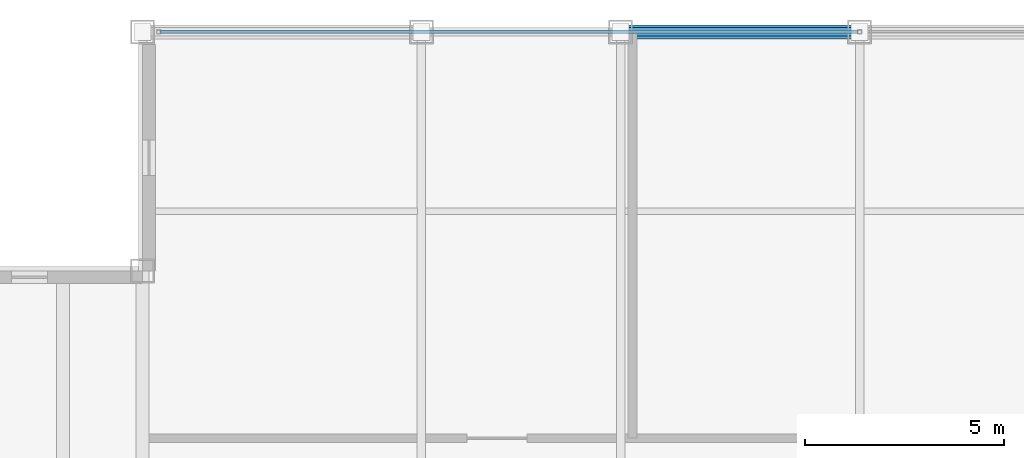
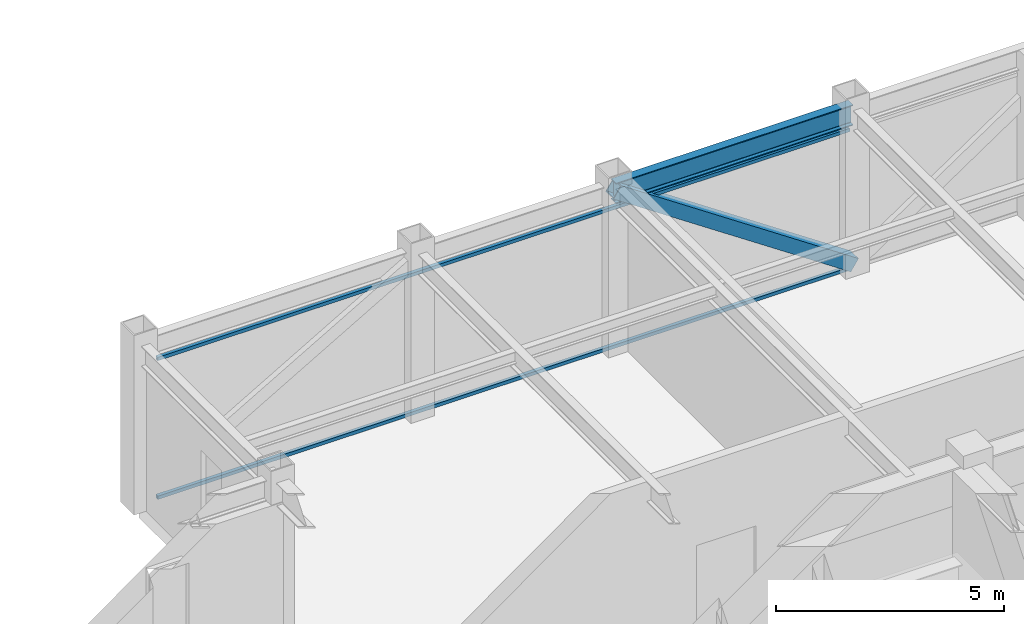
# One storey, part 17 of 27: 3 members, 1 beam, 1 element without a shape of its own.
"""IFC4 building model written with IfcOpenShell, lengths in metres."""

from ifc_helpers import new_model, si_unit, direction, frame, origin, origin_2d, place, context, subcontext, project, spatial, hollow_rectangle, i_section, extrude, source, transform, mapped, material, material_profile, profile_set, type_object, element, aggregate, save


model = new_model("IFC4")

# Units and contexts
model_context = context("Model", 3, precision=1e-05, world=origin(), true_north=direction((0.0, 1.0)))
body_context = subcontext(model_context, "Body", "Model", "MODEL_VIEW")
ifc_project = project(units=[si_unit("LENGTHUNIT", "METRE"), si_unit("AREAUNIT", "SQUARE_METRE"), si_unit("VOLUMEUNIT", "CUBIC_METRE"), si_unit("PLANEANGLEUNIT", "RADIAN"), si_unit("MASSUNIT", "GRAM", prefix="KILO")], contexts=[model_context])

# Site, building, storey
site_placement = place(None, origin())
site = spatial("IfcSite", under=ifc_project, at=site_placement, CompositionType="ELEMENT")
building_placement = place(site_placement, origin())
building = spatial("IfcBuilding", under=site, at=building_placement, Name="Khorayat Bourse Tower", CompositionType="ELEMENT")
storey_placement = place(building_placement, frame((0.0, 0.0, 380.300048828125)))
storey = spatial("IfcBuildingStorey", under=building, at=storey_placement, Name="L90", CompositionType="ELEMENT", Elevation=380.300048828125)

# Beam
ifc_material_1 = material(Name="Steel ASTM A992 Grade 50", Category="steel")
ifc_material_profile_1 = material_profile(ifc_material_1, i_section(OverallWidth=0.214111328125, OverallDepth=0.549072265625, WebThickness=0.0146484375, FlangeThickness=0.023681640625, FilletRadius=0.013916015625, at=origin_2d()), Name="W530X138")
ifc_profile_set_1 = profile_set([ifc_material_profile_1], Name="Steel ASTM A992 Grade 50")
beam_type = type_object("IfcBeamType", Name="BM-SPAN-530", PredefinedType="SPANDREL", material=ifc_profile_set_1)
shared_shape_1 = source(origin(), body_context, "Body", "SweptSolid", [
    extrude(i_section(OverallWidth=0.214111328125, OverallDepth=0.549072265625, WebThickness=0.0146484375, FlangeThickness=0.023681640625, FilletRadius=0.013916015625, at=origin_2d()), origin(), (0.0, 0.0, 1.0), 6.0),
])
beam_placement = place(storey_placement, frame((-6.0, 24.0, 4.175537109375), z_axis=(1.0, 0.0, 0.0), x_axis=(0.0, 1.0, 0.0)))
element("IfcBeam", 1, at=beam_placement, inside=storey, type_object=beam_type, Name="L90 BM-SPAN-530 BM-L90-SPN-043", PredefinedType="SPANDREL", context=body_context, shape_type="MappedRepresentation", body=[
    mapped(shared_shape_1, transform((0.0, 0.0, 0.0), scale=1.0)),
])

# Member
ifc_material_2 = material(Name="Steel EN 10025-2 S355J2", Category="steel")
ifc_material_profile_2 = material_profile(ifc_material_2, hollow_rectangle(XDim=0.35009765625, YDim=0.35009765625, WallThickness=0.02001953125, at=origin_2d()), Name="HSS 350x350x20")
ifc_profile_set_2 = profile_set([ifc_material_profile_2], Name="Steel EN 10025-2 S355J2")
member_type_1 = type_object("IfcMemberType", Name="MBR-CROWN-350", PredefinedType="USERDEFINED", material=ifc_profile_set_2)
shared_shape_2 = source(origin(), body_context, "Body", "SweptSolid", [
    extrude(hollow_rectangle(XDim=0.35009765625, YDim=0.35009765625, WallThickness=0.02001953125, at=origin_2d()), origin(), (0.0, 0.0, 1.0), 7.239013671875),
])
member_1_placement = place(storey_placement, frame((-6.0, 24.0, 4.25), z_axis=(0.828845546207, 0.0, -0.559477488852), x_axis=(0.0, 1.0, 0.0)))
element("IfcMember", 2, at=member_1_placement, inside=storey, type_object=member_type_1, Name="L90 Lantern Crown Frame Member 06", ObjectType="CROWN FRAME", PredefinedType="USERDEFINED", context=body_context, shape_type="MappedRepresentation", body=[
    mapped(shared_shape_2, transform((0.0, 0.0, 0.0), scale=1.0)),
])

# Curtain wall, members
ifc_material_3 = material(Name="Aluminium EN AW-6063 T6", Category="aluminium")
curtain_wall_type = type_object("IfcCurtainWallType", Name="CW-SYS-07", PredefinedType="NOTDEFINED", material=ifc_material_3)
curtain_wall_placement = place(storey_placement, origin())
curtain_wall = element("IfcCurtainWall", 3, at=curtain_wall_placement, inside=storey, type_object=curtain_wall_type, Name="L90 Curtain Wall CW-L90-N1", PredefinedType="NOTDEFINED")
ifc_material_profile_3 = material_profile(ifc_material_3, hollow_rectangle(XDim=0.090087890625, YDim=0.090087890625, WallThickness=0.00390625, at=origin_2d()), Name="ALU 90x90x4")
ifc_profile_set_3 = profile_set([ifc_material_profile_3], Name="Aluminium EN AW-6063 T6")
member_type_2 = type_object("IfcMemberType", Name="CWT-HORZ-90", PredefinedType="USERDEFINED", material=ifc_profile_set_3)
shared_shape_3 = source(origin(), body_context, "Body", "SweptSolid", [
    extrude(hollow_rectangle(XDim=0.090087890625, YDim=0.090087890625, WallThickness=0.00390625, at=origin_2d()), origin(), (0.0, 0.0, 1.0), 17.5),
])
member_2_placement = place(storey_placement, frame((-17.550048828125, 24.0, 0.044921875), z_axis=(1.0, 0.0, 0.0), x_axis=(0.0, 1.0, 0.0)))
member_2 = element("IfcMember", 4, at=member_2_placement, type_object=member_type_2, Name="CW-L90-N1 Horizontal Transom 1-1", ObjectType="TRANSOM", PredefinedType="USERDEFINED", context=body_context, shape_type="MappedRepresentation", body=[
    mapped(shared_shape_3, transform((0.0, 0.0, 0.0), scale=1.0)),
])
member_3_placement = place(storey_placement, frame((-17.550048828125, 24.0, 3.7548828125), z_axis=(1.0, 0.0, 0.0), x_axis=(0.0, 1.0, 0.0)))
member_3 = element("IfcMember", 5, at=member_3_placement, type_object=member_type_2, Name="CW-L90-N1 Horizontal Transom 1-2", ObjectType="TRANSOM", PredefinedType="USERDEFINED", context=body_context, shape_type="MappedRepresentation", body=[
    mapped(shared_shape_3, transform((0.0, 0.0, 0.0), scale=1.0)),
])
aggregate(curtain_wall, [member_2, member_3])

save(model, "model.ifc")
